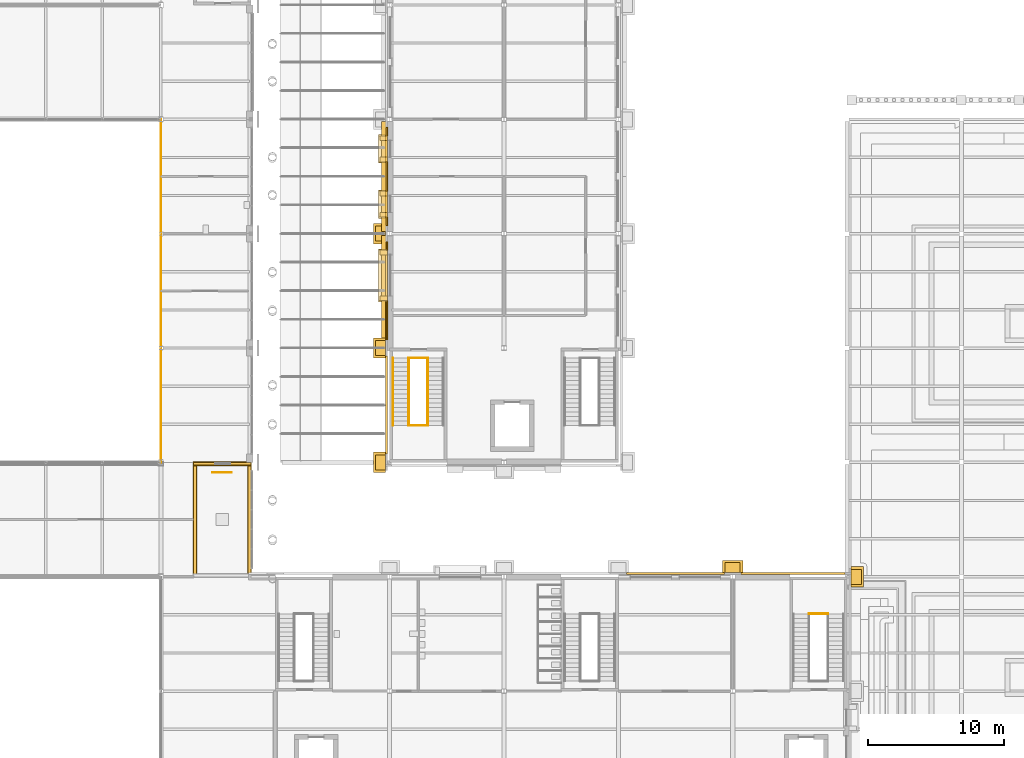
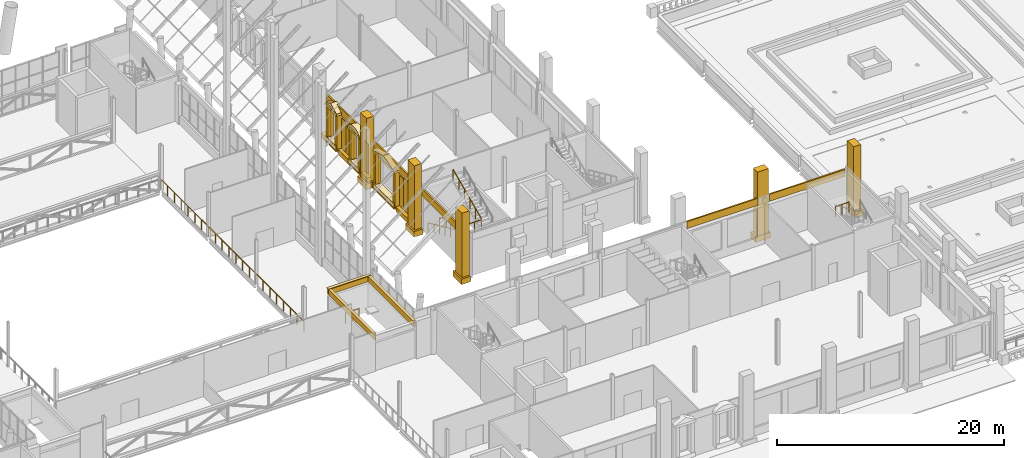
# One storey, part 65 of 76: 52 coverings, 8 railings.
"""IFC4 building model written with IfcOpenShell, lengths in metres."""

from ifc_helpers import new_model, si_unit, direction, frame, origin, origin_2d, place, context, subcontext, project, spatial, polyline, rectangle, circle, outline, extrude, material, layer, layer_set, type_object, element, save


model = new_model("IFC4")

# Units and contexts
model_context = context("Model", 3, precision=1e-05, world=origin(), true_north=direction((0.0, 1.0)))
body_context = subcontext(model_context, "Body", "Model", "MODEL_VIEW")
ifc_project = project(units=[si_unit("LENGTHUNIT", "METRE"), si_unit("AREAUNIT", "SQUARE_METRE"), si_unit("VOLUMEUNIT", "CUBIC_METRE"), si_unit("PLANEANGLEUNIT", "RADIAN"), si_unit("MASSUNIT", "GRAM", prefix="KILO")], contexts=[model_context])

# Site, building, storey
site_placement = place(None, origin())
site = spatial("IfcSite", under=ifc_project, at=site_placement, CompositionType="ELEMENT")
building_placement = place(site_placement, origin())
building = spatial("IfcBuilding", under=site, at=building_placement, Name="Sava Quay Ferry Terminal", CompositionType="ELEMENT")
storey_placement = place(building_placement, frame((0.0, 0.0, 6.0)))
storey = spatial("IfcBuildingStorey", under=building, at=storey_placement, Name="L01", CompositionType="ELEMENT", Elevation=6.0)

# Coverings
ifc_material_1 = material(Name="Limestone Mutalj", Category="masonry")
ifc_layer_1 = layer(ifc_material_1, 0.89990234375)
ifc_layer_set_1 = layer_set([ifc_layer_1], Name="Limestone Mutalj")
covering_type_1 = type_object("IfcCoveringType", Name="Giant-order pilaster base 1500", PredefinedType="MOLDING", material=ifc_layer_set_1)
for number, where, z_axis, x_axis, name in (
    (1, (91.64990234375, 58.800048828125, 0.0), (0.0, 0.0, 1.0), (1.0, 0.0, 0.0), "Giant-order pilaster base"),
    (2, (91.64990234375, 67.199951171875, 0.0), (0.0, 0.0, 1.0), (1.0, 0.0, 0.0), "Giant-order pilaster base"),
    (3, (91.64990234375, 75.60009765625, 0.0), (0.0, 0.0, 1.0), (1.0, 0.0, 0.0), "Giant-order pilaster base"),
    (4, (126.75, 50.39990234375, 0.0), (0.0, 0.0, 1.0), (1.0, 0.0, 0.0), "Giant-order pilaster base"),
):
    element("IfcCovering", number, at=place(storey_placement, frame(where, z_axis=z_axis, x_axis=x_axis)), inside=storey, type_object=covering_type_1, Name=name, PredefinedType="MOLDING", context=body_context, shape_type="SweptSolid", body=[
        extrude(rectangle(XDim=0.89990234375, YDim=1.5, at=origin_2d()), origin(), (0.0, 0.0, 1.0), 0.60009765625),
    ])
covering_1_placement = place(storey_placement, frame((117.60009765625, 51.159912109375, 0.0), z_axis=(0.0, 0.0, 1.0), x_axis=(1.0, 0.0, 0.0)))
element("IfcCovering", 5, at=covering_1_placement, inside=storey, type_object=covering_type_1, Name="Giant-order pilaster base", PredefinedType="MOLDING", context=body_context, shape_type="SweptSolid", body=[
    extrude(rectangle(XDim=1.5, YDim=0.89990234375, at=origin_2d()), origin(), (0.0, 0.0, 1.0), 0.60009765625),
])
ifc_material_2 = material(Name="Limestone Mutalj", Category="masonry")
ifc_layer_2 = layer(ifc_material_2, 0.75)
ifc_layer_set_2 = layer_set([ifc_layer_2], Name="Limestone Mutalj")
covering_type_2 = type_object("IfcCoveringType", Name="Giant-order pilaster shaft 1100", PredefinedType="CLADDING", material=ifc_layer_set_2)
for number, where, z_axis, x_axis, name in (
    (6, (91.72509765625, 58.800048828125, 0.60009765625), (0.0, 0.0, 1.0), (1.0, 0.0, 0.0), "Giant-order pilaster"),
    (7, (91.72509765625, 67.199951171875, 0.60009765625), (0.0, 0.0, 1.0), (1.0, 0.0, 0.0), "Giant-order pilaster"),
    (8, (91.72509765625, 75.60009765625, 0.60009765625), (0.0, 0.0, 1.0), (1.0, 0.0, 0.0), "Giant-order pilaster"),
    (9, (126.675048828125, 50.39990234375, 0.60009765625), (0.0, 0.0, 1.0), (1.0, 0.0, 0.0), "Giant-order pilaster"),
):
    element("IfcCovering", number, at=place(storey_placement, frame(where, z_axis=z_axis, x_axis=x_axis)), inside=storey, type_object=covering_type_2, Name=name, PredefinedType="CLADDING", context=body_context, shape_type="SweptSolid", body=[
        extrude(rectangle(XDim=0.75, YDim=1.10009765625, at=origin_2d()), origin(), (0.0, 0.0, 1.0), 6.89990234375),
    ])
covering_2_placement = place(storey_placement, frame((117.60009765625, 51.0849609375, 0.60009765625), z_axis=(0.0, 0.0, 1.0), x_axis=(1.0, 0.0, 0.0)))
element("IfcCovering", 10, at=covering_2_placement, inside=storey, type_object=covering_type_2, Name="Giant-order pilaster", PredefinedType="CLADDING", context=body_context, shape_type="SweptSolid", body=[
    extrude(rectangle(XDim=1.10009765625, YDim=0.75, at=origin_2d()), origin(), (0.0, 0.0, 1.0), 6.89990234375),
])

# Railings
ifc_material_3 = material(Name="Steel S355", Category="steel")
railing_type_1 = type_object("IfcRailingType", Name="Guard 1100", PredefinedType="GUARDRAIL", material=ifc_material_3)
for number, where, name in (
    (11, (79.39990234375, 58.070068359375, 0.0), "Guard at stair well ST-D2 L01"),
    (12, (123.199951171875, 47.679931640625, 2.39990234375), "Guard at half landing ST-P2 L01"),
):
    element("IfcRailing", number, at=place(storey_placement, frame(where)), inside=storey, type_object=railing_type_1, Name=name, PredefinedType="GUARDRAIL", context=body_context, shape_type="SweptSolid", body=[
        extrude(circle(Radius=0.02392578125, at=origin_2d()), frame((0.0, 0.0, 1.076171875), z_axis=(1.0, 0.0, 0.0), x_axis=(0.0, 1.0, 0.0)), (0.0, 0.0, 1.0), 1.400146484375),
        extrude(circle(Radius=0.02099609375, at=origin_2d()), origin(), (0.0, 0.0, 1.0), 1.052001953125),
        extrude(circle(Radius=0.02099609375, at=origin_2d()), frame((0.7001953125, 0.0, 0.0)), (0.0, 0.0, 1.0), 1.052001953125),
        extrude(circle(Radius=0.02099609375, at=origin_2d()), frame((1.400146484375, 0.0, 0.0)), (0.0, 0.0, 1.0), 1.052001953125),
    ])
railing_1_placement = place(storey_placement, frame((93.800048828125, 66.469970703125, 0.0)))
element("IfcRailing", 13, at=railing_1_placement, inside=storey, type_object=railing_type_1, Name="Guard at stair well ST-O1 L01", PredefinedType="GUARDRAIL", context=body_context, shape_type="SweptSolid", body=[
    extrude(circle(Radius=0.02392578125, at=origin_2d()), frame((0.0, 0.0, 1.076171875), z_axis=(1.0, 0.0, 0.0), x_axis=(0.0, 1.0, 0.0)), (0.0, 0.0, 1.0), 1.39990234375),
    extrude(circle(Radius=0.02099609375, at=origin_2d()), origin(), (0.0, 0.0, 1.0), 1.052001953125),
    extrude(circle(Radius=0.02099609375, at=origin_2d()), frame((0.699951171875, 0.0, 0.0)), (0.0, 0.0, 1.0), 1.052001953125),
    extrude(circle(Radius=0.02099609375, at=origin_2d()), frame((1.39990234375, 0.0, 0.0)), (0.0, 0.0, 1.0), 1.052001953125),
])
railing_2_placement = place(storey_placement, frame((93.800048828125, 66.469970703125, 0.14990234375)))
element("IfcRailing", 14, at=railing_2_placement, inside=storey, type_object=railing_type_1, Name="Guard at stair well ST-O1 L01", PredefinedType="GUARDRAIL", context=body_context, shape_type="SweptSolid", body=[
    extrude(circle(Radius=0.02392578125, at=origin_2d()), frame((0.0, 0.0, 1.076171875), z_axis=(0.0, -0.910364939756, 0.41380632724), x_axis=(1.0, 0.0, 0.0)), (0.0, 0.0, 1.0), 5.437255859375),
    extrude(circle(Radius=0.02099609375, at=origin_2d()), origin(), (0.0, 0.0, 1.0), 1.052001953125),
    extrude(circle(Radius=0.02099609375, at=origin_2d()), frame((0.0, -0.989990234375, 0.449951171875)), (0.0, 0.0, 1.0), 1.052001953125),
    extrude(circle(Radius=0.02099609375, at=origin_2d()), frame((0.0, -1.97998046875, 0.89990234375)), (0.0, 0.0, 1.0), 1.052001953125),
    extrude(circle(Radius=0.02099609375, at=origin_2d()), frame((0.0, -2.969970703125, 1.35009765625)), (0.0, 0.0, 1.0), 1.052001953125),
    extrude(circle(Radius=0.02099609375, at=origin_2d()), frame((0.0, -3.9599609375, 1.800048828125)), (0.0, 0.0, 1.0), 1.052001953125),
    extrude(circle(Radius=0.02099609375, at=origin_2d()), frame((0.0, -4.949951171875, 2.25)), (0.0, 0.0, 1.0), 1.052001953125),
])
railing_3_placement = place(storey_placement, frame((95.199951171875, 61.52001953125, 2.550048828125)))
element("IfcRailing", 15, at=railing_3_placement, inside=storey, type_object=railing_type_1, Name="Guard at stair well ST-O1 L01", PredefinedType="GUARDRAIL", context=body_context, shape_type="SweptSolid", body=[
    extrude(circle(Radius=0.02392578125, at=origin_2d()), frame((0.0, 0.0, 1.076171875), z_axis=(0.0, 0.910364939756, 0.41380632724), x_axis=(-1.0, 0.0, 0.0)), (0.0, 0.0, 1.0), 5.437255859375),
    extrude(circle(Radius=0.02099609375, at=origin_2d()), origin(), (0.0, 0.0, 1.0), 1.052001953125),
    extrude(circle(Radius=0.02099609375, at=origin_2d()), frame((0.0, 0.989990234375, 0.449951171875)), (0.0, 0.0, 1.0), 1.052001953125),
    extrude(circle(Radius=0.02099609375, at=origin_2d()), frame((0.0, 1.97998046875, 0.89990234375)), (0.0, 0.0, 1.0), 1.052001953125),
    extrude(circle(Radius=0.02099609375, at=origin_2d()), frame((0.0, 2.969970703125, 1.35009765625)), (0.0, 0.0, 1.0), 1.052001953125),
    extrude(circle(Radius=0.02099609375, at=origin_2d()), frame((0.0, 3.9599609375, 1.800048828125)), (0.0, 0.0, 1.0), 1.052001953125),
    extrude(circle(Radius=0.02099609375, at=origin_2d()), frame((0.0, 4.949951171875, 2.25)), (0.0, 0.0, 1.0), 1.052001953125),
])
railing_4_placement = place(storey_placement, frame((93.800048828125, 61.52001953125, 2.39990234375)))
element("IfcRailing", 16, at=railing_4_placement, inside=storey, type_object=railing_type_1, Name="Guard at half landing ST-O1 L01", PredefinedType="GUARDRAIL", context=body_context, shape_type="SweptSolid", body=[
    extrude(circle(Radius=0.02392578125, at=origin_2d()), frame((0.0, 0.0, 1.076171875), z_axis=(1.0, 0.0, 0.0), x_axis=(0.0, 1.0, 0.0)), (0.0, 0.0, 1.0), 1.39990234375),
    extrude(circle(Radius=0.02099609375, at=origin_2d()), origin(), (0.0, 0.0, 1.0), 1.052001953125),
    extrude(circle(Radius=0.02099609375, at=origin_2d()), frame((0.699951171875, 0.0, 0.0)), (0.0, 0.0, 1.0), 1.052001953125),
    extrude(circle(Radius=0.02099609375, at=origin_2d()), frame((1.39990234375, 0.0, 0.0)), (0.0, 0.0, 1.0), 1.052001953125),
])
railing_5_placement = place(storey_placement, frame((75.60009765625, 58.800048828125, 0.0)))
element("IfcRailing", 17, at=railing_5_placement, inside=storey, type_object=railing_type_1, Name="Mezzanine guard", PredefinedType="GUARDRAIL", context=body_context, shape_type="SweptSolid", body=[
    extrude(circle(Radius=0.02392578125, at=origin_2d()), frame((0.0, 0.0, 1.076171875), z_axis=(0.0, 1.0, 0.0), x_axis=(-1.0, 0.0, 0.0)), (0.0, 0.0, 1.0), 25.199951171875),
    extrude(circle(Radius=0.02099609375, at=origin_2d()), origin(), (0.0, 0.0, 1.0), 1.052001953125),
    extrude(circle(Radius=0.02099609375, at=origin_2d()), frame((0.0, 1.199951171875, 0.0)), (0.0, 0.0, 1.0), 1.052001953125),
    extrude(circle(Radius=0.02099609375, at=origin_2d()), frame((0.0, 2.39990234375, 0.0)), (0.0, 0.0, 1.0), 1.052001953125),
    extrude(circle(Radius=0.02099609375, at=origin_2d()), frame((0.0, 3.60009765625, 0.0)), (0.0, 0.0, 1.0), 1.052001953125),
    extrude(circle(Radius=0.02099609375, at=origin_2d()), frame((0.0, 4.800048828125, 0.0)), (0.0, 0.0, 1.0), 1.052001953125),
    extrude(circle(Radius=0.02099609375, at=origin_2d()), frame((0.0, 6.0, 0.0)), (0.0, 0.0, 1.0), 1.052001953125),
    extrude(circle(Radius=0.02099609375, at=origin_2d()), frame((0.0, 7.199951171875, 0.0)), (0.0, 0.0, 1.0), 1.052001953125),
    extrude(circle(Radius=0.02099609375, at=origin_2d()), frame((0.0, 8.39990234375, 0.0)), (0.0, 0.0, 1.0), 1.052001953125),
    extrude(circle(Radius=0.02099609375, at=origin_2d()), frame((0.0, 9.60009765625, 0.0)), (0.0, 0.0, 1.0), 1.052001953125),
    extrude(circle(Radius=0.02099609375, at=origin_2d()), frame((0.0, 10.800048828125, 0.0)), (0.0, 0.0, 1.0), 1.052001953125),
    extrude(circle(Radius=0.02099609375, at=origin_2d()), frame((0.0, 12.0, 0.0)), (0.0, 0.0, 1.0), 1.052001953125),
    extrude(circle(Radius=0.02099609375, at=origin_2d()), frame((0.0, 13.199951171875, 0.0)), (0.0, 0.0, 1.0), 1.052001953125),
    extrude(circle(Radius=0.02099609375, at=origin_2d()), frame((0.0, 14.39990234375, 0.0)), (0.0, 0.0, 1.0), 1.052001953125),
    extrude(circle(Radius=0.02099609375, at=origin_2d()), frame((0.0, 15.599853515625, 0.0)), (0.0, 0.0, 1.0), 1.052001953125),
    extrude(circle(Radius=0.02099609375, at=origin_2d()), frame((0.0, 16.800048828125, 0.0)), (0.0, 0.0, 1.0), 1.052001953125),
    extrude(circle(Radius=0.02099609375, at=origin_2d()), frame((0.0, 18.0, 0.0)), (0.0, 0.0, 1.0), 1.052001953125),
    extrude(circle(Radius=0.02099609375, at=origin_2d()), frame((0.0, 19.199951171875, 0.0)), (0.0, 0.0, 1.0), 1.052001953125),
    extrude(circle(Radius=0.02099609375, at=origin_2d()), frame((0.0, 20.39990234375, 0.0)), (0.0, 0.0, 1.0), 1.052001953125),
    extrude(circle(Radius=0.02099609375, at=origin_2d()), frame((0.0, 21.599853515625, 0.0)), (0.0, 0.0, 1.0), 1.052001953125),
    extrude(circle(Radius=0.02099609375, at=origin_2d()), frame((0.0, 22.800048828125, 0.0)), (0.0, 0.0, 1.0), 1.052001953125),
    extrude(circle(Radius=0.02099609375, at=origin_2d()), frame((0.0, 24.0, 0.0)), (0.0, 0.0, 1.0), 1.052001953125),
    extrude(circle(Radius=0.02099609375, at=origin_2d()), frame((0.0, 25.199951171875, 0.0)), (0.0, 0.0, 1.0), 1.052001953125),
])

# Coverings
ifc_material_4 = material(Name="Limestone Mutalj", Category="masonry")
ifc_layer_3 = layer(ifc_material_4, 0.080078125)
ifc_layer_set_3 = layer_set([ifc_layer_3], Name="Limestone Mutalj")
covering_type_3 = type_object("IfcCoveringType", Name="Light stone cladding 80", PredefinedType="CLADDING", material=ifc_layer_set_3)
covering_3_placement = place(storey_placement, frame((92.2099609375, 68.868896484375, 0.5), z_axis=(0.0, 0.0, 1.0), x_axis=(1.0, 0.0, 0.0)))
element("IfcCovering", 18, at=covering_3_placement, inside=storey, type_object=covering_type_3, Name="Light stone cladding", PredefinedType="CLADDING", context=body_context, shape_type="SweptSolid", body=[
    extrude(rectangle(XDim=0.080078125, YDim=2.137451171875, at=origin_2d()), origin(), (0.0, 0.0, 1.0), 3.550048828125),
])
covering_4_placement = place(storey_placement, frame((92.2099609375, 70.3125, 0.5), z_axis=(0.0, 0.0, 1.0), x_axis=(1.0, 0.0, 0.0)))
element("IfcCovering", 19, at=covering_4_placement, inside=storey, type_object=covering_type_3, Name="Light stone cladding", PredefinedType="CLADDING", context=body_context, shape_type="SweptSolid", body=[
    extrude(rectangle(XDim=0.080078125, YDim=0.75, at=origin_2d()), origin(), (0.0, 0.0, 1.0), 3.25),
])
covering_5_placement = place(storey_placement, frame((92.2099609375, 74.693603515625, 0.5), z_axis=(0.0, 0.0, 1.0), x_axis=(1.0, 0.0, 0.0)))
element("IfcCovering", 20, at=covering_5_placement, inside=storey, type_object=covering_type_3, Name="Light stone cladding", PredefinedType="CLADDING", context=body_context, shape_type="SweptSolid", body=[
    extrude(rectangle(XDim=0.080078125, YDim=0.612548828125, at=origin_2d()), origin(), (0.0, 0.0, 1.0), 3.25),
])
covering_6_placement = place(storey_placement, frame((92.2099609375, 76.50927734375, 0.5), z_axis=(0.0, 0.0, 1.0), x_axis=(1.0, 0.0, 0.0)))
element("IfcCovering", 21, at=covering_6_placement, inside=storey, type_object=covering_type_3, Name="Light stone cladding", PredefinedType="CLADDING", context=body_context, shape_type="SweptSolid", body=[
    extrude(rectangle(XDim=0.080078125, YDim=0.61865234375, at=origin_2d()), origin(), (0.0, 0.0, 1.0), 3.25),
])
covering_7_placement = place(storey_placement, frame((92.2099609375, 79.09375, 0.5), z_axis=(0.0, 0.0, 1.0), x_axis=(1.0, 0.0, 0.0)))
element("IfcCovering", 22, at=covering_7_placement, inside=storey, type_object=covering_type_3, Name="Light stone cladding", PredefinedType="CLADDING", context=body_context, shape_type="SweptSolid", body=[
    extrude(rectangle(XDim=0.080078125, YDim=0.75, at=origin_2d()), origin(), (0.0, 0.0, 1.0), 3.25),
])
covering_8_placement = place(storey_placement, frame((92.2099609375, 79.800048828125, 0.5), z_axis=(0.0, 0.0, 1.0), x_axis=(1.0, 0.0, 0.0)))
element("IfcCovering", 23, at=covering_8_placement, inside=storey, type_object=covering_type_3, Name="Light stone cladding", PredefinedType="CLADDING", context=body_context, shape_type="SweptSolid", body=[
    extrude(rectangle(XDim=0.080078125, YDim=0.66259765625, at=origin_2d()), origin(), (0.0, 0.0, 1.0), 3.550048828125),
])
covering_9_placement = place(storey_placement, frame((92.2099609375, 80.50634765625, 0.5), z_axis=(0.0, 0.0, 1.0), x_axis=(1.0, 0.0, 0.0)))
element("IfcCovering", 24, at=covering_9_placement, inside=storey, type_object=covering_type_3, Name="Light stone cladding", PredefinedType="CLADDING", context=body_context, shape_type="SweptSolid", body=[
    extrude(rectangle(XDim=0.080078125, YDim=0.75, at=origin_2d()), origin(), (0.0, 0.0, 1.0), 3.25),
])
covering_10_placement = place(storey_placement, frame((92.2099609375, 83.0908203125, 0.5), z_axis=(0.0, 0.0, 1.0), x_axis=(1.0, 0.0, 0.0)))
element("IfcCovering", 25, at=covering_10_placement, inside=storey, type_object=covering_type_3, Name="Light stone cladding", PredefinedType="CLADDING", context=body_context, shape_type="SweptSolid", body=[
    extrude(rectangle(XDim=0.080078125, YDim=0.61865234375, at=origin_2d()), origin(), (0.0, 0.0, 1.0), 3.25),
])
ifc_material_5 = material(Name="Limestone Mutalj", Category="masonry")
ifc_layer_4 = layer(ifc_material_5, 0.14990234375)
ifc_layer_set_4 = layer_set([ifc_layer_4], Name="Limestone Mutalj")
covering_type_4 = type_object("IfcCoveringType", Name="Limestone string course 150", PredefinedType="CLADDING", material=ifc_layer_set_4)
covering_11_placement = place(storey_placement, frame((0.0, 0.0, 4.050048828125)))
element("IfcCovering", 26, at=covering_11_placement, inside=storey, type_object=covering_type_4, Name="String course P-N", PredefinedType="CLADDING", context=body_context, shape_type="SweptSolid", body=[
    extrude(outline(polyline([(109.800048828125, 50.56005859375), (117.0, 50.56005859375), (117.0, 50.7099609375), (109.800048828125, 50.7099609375), (109.800048828125, 50.56005859375)])), origin(), (0.0, 0.0, 1.0), 0.75),
])
covering_12_placement = place(storey_placement, frame((0.0, 0.0, 4.050048828125)))
element("IfcCovering", 27, at=covering_12_placement, inside=storey, type_object=covering_type_4, Name="String course P-N", PredefinedType="CLADDING", context=body_context, shape_type="SweptSolid", body=[
    extrude(outline(polyline([(118.199951171875, 50.56005859375), (125.85009765625, 50.56005859375), (125.85009765625, 50.7099609375), (118.199951171875, 50.7099609375), (118.199951171875, 50.56005859375)])), origin(), (0.0, 0.0, 1.0), 0.75),
])
covering_13_placement = place(storey_placement, frame((0.0, 0.0, 4.050048828125)))
element("IfcCovering", 28, at=covering_13_placement, inside=storey, type_object=covering_type_4, Name="String course O-W", PredefinedType="CLADDING", context=body_context, shape_type="SweptSolid", body=[
    extrude(outline(polyline([(92.25, 59.39990234375), (92.25, 66.60009765625), (92.10009765625, 66.60009765625), (92.10009765625, 59.39990234375), (92.25, 59.39990234375)])), origin(), (0.0, 0.0, 1.0), 0.75),
])
covering_14_placement = place(storey_placement, frame((0.0, 0.0, 4.050048828125)))
element("IfcCovering", 29, at=covering_14_placement, inside=storey, type_object=covering_type_4, Name="String course O-W", PredefinedType="CLADDING", context=body_context, shape_type="SweptSolid", body=[
    extrude(outline(polyline([(92.25, 67.800048828125), (92.25, 75.0), (92.10009765625, 75.0), (92.10009765625, 67.800048828125), (92.25, 67.800048828125)])), origin(), (0.0, 0.0, 1.0), 0.75),
])
covering_15_placement = place(storey_placement, frame((0.0, 0.0, 4.050048828125)))
element("IfcCovering", 30, at=covering_15_placement, inside=storey, type_object=covering_type_4, Name="String course O-W", PredefinedType="CLADDING", context=body_context, shape_type="SweptSolid", body=[
    extrude(outline(polyline([(92.25, 76.199951171875), (92.25, 83.39990234375), (92.10009765625, 83.39990234375), (92.10009765625, 76.199951171875), (92.25, 76.199951171875)])), origin(), (0.0, 0.0, 1.0), 0.75),
])
ifc_material_6 = material(Name="Limestone Mutalj", Category="masonry")
ifc_layer_5 = layer(ifc_material_6, 0.050048828125)
ifc_layer_set_5 = layer_set([ifc_layer_5], Name="Limestone Mutalj")
covering_type_5 = type_object("IfcCoveringType", Name="Overrun coping 300", PredefinedType="MOLDING", material=ifc_layer_set_5)
covering_16_placement = place(storey_placement, frame((80.10009765625, 58.699951171875, 3.7998046875), z_axis=(0.0, 0.0, 1.0), x_axis=(1.0, 0.0, 0.0)))
element("IfcCovering", 31, at=covering_16_placement, inside=storey, type_object=covering_type_5, Name="Overrun coping ST-D2 N", PredefinedType="MOLDING", context=body_context, shape_type="SweptSolid", body=[
    extrude(rectangle(XDim=4.300048828125, YDim=0.300048828125, at=origin_2d()), origin(), (0.0, 0.0, 1.0), 0.050048828125),
])
for number, where, z_axis, x_axis, name in (
    (32, (78.10009765625, 54.60009765625, 3.7998046875), (0.0, 0.0, 1.0), (1.0, 0.0, 0.0), "Overrun coping ST-D2 W"),
    (33, (82.10009765625, 54.60009765625, 3.7998046875), (0.0, 0.0, 1.0), (1.0, 0.0, 0.0), "Overrun coping ST-D2 E"),
):
    element("IfcCovering", number, at=place(storey_placement, frame(where, z_axis=z_axis, x_axis=x_axis)), inside=storey, type_object=covering_type_5, Name=name, PredefinedType="MOLDING", context=body_context, shape_type="SweptSolid", body=[
        extrude(rectangle(XDim=0.300048828125, YDim=7.89990234375, at=origin_2d()), origin(), (0.0, 0.0, 1.0), 0.050048828125),
    ])
ifc_material_7 = material(Name="Limestone Mutalj", Category="masonry")
ifc_layer_6 = layer(ifc_material_7, 0.199951171875)
ifc_layer_set_6 = layer_set([ifc_layer_6], Name="Limestone Mutalj")
covering_type_6 = type_object("IfcCoveringType", Name="Overrun parapet 200", PredefinedType="MOLDING", material=ifc_layer_set_6)
covering_17_placement = place(storey_placement, frame((80.10009765625, 58.699951171875, 3.199951171875), z_axis=(0.0, 0.0, 1.0), x_axis=(1.0, 0.0, 0.0)))
element("IfcCovering", 34, at=covering_17_placement, inside=storey, type_object=covering_type_6, Name="Overrun parapet ST-D2 N", PredefinedType="MOLDING", context=body_context, shape_type="SweptSolid", body=[
    extrude(rectangle(XDim=4.199951171875, YDim=0.199951171875, at=origin_2d()), origin(), (0.0, 0.0, 1.0), 0.60009765625),
])
for number, where, z_axis, x_axis, name in (
    (35, (78.10009765625, 54.60009765625, 3.199951171875), (0.0, 0.0, 1.0), (1.0, 0.0, 0.0), "Overrun parapet ST-D2 W"),
    (36, (82.10009765625, 54.60009765625, 3.199951171875), (0.0, 0.0, 1.0), (1.0, 0.0, 0.0), "Overrun parapet ST-D2 E"),
):
    element("IfcCovering", number, at=place(storey_placement, frame(where, z_axis=z_axis, x_axis=x_axis)), inside=storey, type_object=covering_type_6, Name=name, PredefinedType="MOLDING", context=body_context, shape_type="SweptSolid", body=[
        extrude(rectangle(XDim=0.199951171875, YDim=8.0, at=origin_2d()), origin(), (0.0, 0.0, 1.0), 0.60009765625),
    ])
ifc_material_8 = material(Name="Limestone Mutalj", Category="masonry")
ifc_layer_7 = layer(ifc_material_8, 0.449951171875)
ifc_layer_set_7 = layer_set([ifc_layer_7], Name="Limestone Mutalj")
covering_type_7 = type_object("IfcCoveringType", Name="Projecting string course 500", PredefinedType="MOLDING", material=ifc_layer_set_7)
covering_18_placement = place(storey_placement, frame((92.02490234375, 68.84375, 0.0), z_axis=(0.0, 0.0, 1.0), x_axis=(1.0, 0.0, 0.0)))
element("IfcCovering", 37, at=covering_18_placement, inside=storey, type_object=covering_type_7, Name="Projecting string course", PredefinedType="MOLDING", context=body_context, shape_type="SweptSolid", body=[
    extrude(rectangle(XDim=0.449951171875, YDim=3.6875, at=origin_2d()), origin(), (0.0, 0.0, 1.0), 0.5),
])
covering_19_placement = place(storey_placement, frame((92.02490234375, 72.53759765625, 0.0), z_axis=(0.0, 0.0, 1.0), x_axis=(1.0, 0.0, 0.0)))
element("IfcCovering", 38, at=covering_19_placement, inside=storey, type_object=covering_type_7, Name="Projecting string course", PredefinedType="MOLDING", context=body_context, shape_type="SweptSolid", body=[
    extrude(rectangle(XDim=0.449951171875, YDim=3.0, at=origin_2d()), origin(), (0.0, 0.0, 1.0), 0.449951171875),
])
covering_20_placement = place(storey_placement, frame((92.02490234375, 74.918701171875, 0.0), z_axis=(0.0, 0.0, 1.0), x_axis=(1.0, 0.0, 0.0)))
element("IfcCovering", 39, at=covering_20_placement, inside=storey, type_object=covering_type_7, Name="Projecting string course", PredefinedType="MOLDING", context=body_context, shape_type="SweptSolid", body=[
    extrude(rectangle(XDim=0.449951171875, YDim=1.0625, at=origin_2d()), origin(), (0.0, 0.0, 1.0), 0.5),
])
covering_21_placement = place(storey_placement, frame((92.02490234375, 76.2841796875, 0.0), z_axis=(0.0, 0.0, 1.0), x_axis=(1.0, 0.0, 0.0)))
element("IfcCovering", 40, at=covering_21_placement, inside=storey, type_object=covering_type_7, Name="Projecting string course", PredefinedType="MOLDING", context=body_context, shape_type="SweptSolid", body=[
    extrude(rectangle(XDim=0.449951171875, YDim=1.068603515625, at=origin_2d()), origin(), (0.0, 0.0, 1.0), 0.5),
])
covering_22_placement = place(storey_placement, frame((92.02490234375, 77.768798828125, 0.0), z_axis=(0.0, 0.0, 1.0), x_axis=(1.0, 0.0, 0.0)))
element("IfcCovering", 41, at=covering_22_placement, inside=storey, type_object=covering_type_7, Name="Projecting string course", PredefinedType="MOLDING", context=body_context, shape_type="SweptSolid", body=[
    extrude(rectangle(XDim=0.449951171875, YDim=1.199951171875, at=origin_2d()), origin(), (0.0, 0.0, 1.0), 0.449951171875),
])
covering_23_placement = place(storey_placement, frame((92.02490234375, 79.800048828125, 0.0), z_axis=(0.0, 0.0, 1.0), x_axis=(1.0, 0.0, 0.0)))
element("IfcCovering", 42, at=covering_23_placement, inside=storey, type_object=covering_type_7, Name="Projecting string course", PredefinedType="MOLDING", context=body_context, shape_type="SweptSolid", body=[
    extrude(rectangle(XDim=0.449951171875, YDim=2.16259765625, at=origin_2d()), origin(), (0.0, 0.0, 1.0), 0.5),
])
covering_24_placement = place(storey_placement, frame((92.02490234375, 81.831298828125, 0.0), z_axis=(0.0, 0.0, 1.0), x_axis=(1.0, 0.0, 0.0)))
element("IfcCovering", 43, at=covering_24_placement, inside=storey, type_object=covering_type_7, Name="Projecting string course", PredefinedType="MOLDING", context=body_context, shape_type="SweptSolid", body=[
    extrude(rectangle(XDim=0.449951171875, YDim=1.199951171875, at=origin_2d()), origin(), (0.0, 0.0, 1.0), 0.449951171875),
])
covering_25_placement = place(storey_placement, frame((92.02490234375, 83.315673828125, 0.0), z_axis=(0.0, 0.0, 1.0), x_axis=(1.0, 0.0, 0.0)))
element("IfcCovering", 44, at=covering_25_placement, inside=storey, type_object=covering_type_7, Name="Projecting string course", PredefinedType="MOLDING", context=body_context, shape_type="SweptSolid", body=[
    extrude(rectangle(XDim=0.449951171875, YDim=1.068603515625, at=origin_2d()), origin(), (0.0, 0.0, 1.0), 0.5),
])
ifc_material_9 = material(Name="Limestone Mutalj", Category="masonry")
ifc_layer_8 = layer(ifc_material_9, 0.64990234375)
ifc_layer_set_8 = layer_set([ifc_layer_8], Name="Limestone Mutalj")
covering_type_8 = type_object("IfcCoveringType", Name="Segmental window head 500", PredefinedType="MOLDING", material=ifc_layer_set_8)
covering_26_placement = place(storey_placement, frame((91.60009765625, 76.71875, 4.39990234375), z_axis=(-1.0, 0.0, 0.0), x_axis=(0.0, 0.71122974715, 0.702959633811)))
element("IfcCovering", 45, at=covering_26_placement, inside=storey, type_object=covering_type_8, Name="Segmental window head", PredefinedType="MOLDING", context=body_context, shape_type="SweptSolid", body=[
    extrude(outline(polyline([(0.0, 0.0), (0.29520831818581716, 0.0), (0.5408181661149173, 0.05018198167150195), (0.752447055183014, 0.1347446981906073), (0.9373030675727445, 0.24639526640782444), (1.0983057794286726, 0.38252706612769555), (1.2361376366269134, 0.5417550148915962), (1.3499425532163642, 0.7252925741538023), (1.4369745931274485, 0.93591798511412), (1.4900256741775295, 1.1809241309220415), (1.4934782849708934, 1.4761122584014645), (0.0, 0.0)])), origin(), (0.0, 0.0, -1.0), 0.64990234375),
])

# Railing
ifc_material_10 = material(Name="Steel S355", Category="steel")
railing_type_2 = type_object("IfcRailingType", Name="Stair handrail 900", PredefinedType="HANDRAIL", material=ifc_material_10)
railing_6_placement = place(storey_placement, frame((92.659912109375, 66.469970703125, 0.14990234375)))
element("IfcRailing", 46, at=railing_6_placement, inside=storey, type_object=railing_type_2, Name="Handrail ST-O1 L01", PredefinedType="HANDRAIL", context=body_context, shape_type="SweptSolid", body=[
    extrude(circle(Radius=0.02392578125, at=origin_2d()), frame((0.0, 0.0, 0.8759765625), z_axis=(0.0, -0.910364939756, 0.41380632724), x_axis=(1.0, 0.0, 0.0)), (0.0, 0.0, 1.0), 5.437255859375),
    extrude(circle(Radius=0.02099609375, at=origin_2d()), origin(), (0.0, 0.0, 1.0), 0.851806640625),
    extrude(circle(Radius=0.02099609375, at=origin_2d()), frame((0.0, -0.989990234375, 0.449951171875)), (0.0, 0.0, 1.0), 0.851806640625),
    extrude(circle(Radius=0.02099609375, at=origin_2d()), frame((0.0, -1.97998046875, 0.89990234375)), (0.0, 0.0, 1.0), 0.851806640625),
    extrude(circle(Radius=0.02099609375, at=origin_2d()), frame((0.0, -2.969970703125, 1.35009765625)), (0.0, 0.0, 1.0), 0.851806640625),
    extrude(circle(Radius=0.02099609375, at=origin_2d()), frame((0.0, -3.9599609375, 1.800048828125)), (0.0, 0.0, 1.0), 0.851806640625),
    extrude(circle(Radius=0.02099609375, at=origin_2d()), frame((0.0, -4.949951171875, 2.25)), (0.0, 0.0, 1.0), 0.851806640625),
])

# Coverings
ifc_material_11 = material(Name="Limestone Mutalj", Category="masonry")
ifc_layer_9 = layer(ifc_material_11, 0.64990234375)
ifc_layer_set_9 = layer_set([ifc_layer_9], Name="Limestone Mutalj")
covering_type_9 = type_object("IfcCoveringType", Name="Triangular window head 500", PredefinedType="MOLDING", material=ifc_layer_set_9)
covering_27_placement = place(storey_placement, frame((92.25, 70.58740234375, 4.39990234375), z_axis=(1.0, 0.0, 0.0), x_axis=(0.0, 1.0, 0.0)))
element("IfcCovering", 47, at=covering_27_placement, inside=storey, type_object=covering_type_9, Name="Triangular window head", PredefinedType="MOLDING", context=body_context, shape_type="SweptSolid", body=[
    extrude(outline(polyline([(0.0, 0.0), (3.900146484375, 0.0), (1.9501953125, 0.550048828125), (0.0, 0.0)])), origin(), (0.0, 0.0, -1.0), 0.64990234375),
])
covering_28_placement = place(storey_placement, frame((92.25, 80.78125, 4.39990234375), z_axis=(1.0, 0.0, 0.0), x_axis=(0.0, 1.0, 0.0)))
element("IfcCovering", 48, at=covering_28_placement, inside=storey, type_object=covering_type_9, Name="Triangular window head", PredefinedType="MOLDING", context=body_context, shape_type="SweptSolid", body=[
    extrude(outline(polyline([(0.0, 0.0), (2.10009765625, 0.0), (1.050048828125, 0.550048828125), (0.0, 0.0)])), origin(), (0.0, 0.0, -1.0), 0.64990234375),
])
ifc_material_12 = material(Name="Limestone Mutalj", Category="masonry")
ifc_layer_10 = layer(ifc_material_12, 0.550048828125)
ifc_layer_set_10 = layer_set([ifc_layer_10], Name="Limestone Mutalj")
covering_type_10 = type_object("IfcCoveringType", Name="Window surround jamb 350", PredefinedType="MOLDING", material=ifc_layer_set_10)
for number, where, z_axis, x_axis, name in (
    (49, (91.97509765625, 70.862548828125, 0.4501953125), (0.0, 0.0, 1.0), (1.0, 0.0, 0.0), "Window surround jamb"),
    (50, (91.97509765625, 74.21240234375, 0.4501953125), (0.0, 0.0, 1.0), (1.0, 0.0, 0.0), "Window surround jamb"),
    (51, (91.97509765625, 76.99365234375, 0.4501953125), (0.0, 0.0, 1.0), (1.0, 0.0, 0.0), "Window surround jamb"),
    (52, (91.97509765625, 78.543701171875, 0.4501953125), (0.0, 0.0, 1.0), (1.0, 0.0, 0.0), "Window surround jamb"),
    (53, (91.97509765625, 81.056396484375, 0.4501953125), (0.0, 0.0, 1.0), (1.0, 0.0, 0.0), "Window surround jamb"),
    (54, (91.97509765625, 82.606201171875, 0.4501953125), (0.0, 0.0, 1.0), (1.0, 0.0, 0.0), "Window surround jamb"),
):
    element("IfcCovering", number, at=place(storey_placement, frame(where, z_axis=z_axis, x_axis=x_axis)), inside=storey, type_object=covering_type_10, Name=name, PredefinedType="MOLDING", context=body_context, shape_type="SweptSolid", body=[
        extrude(rectangle(XDim=0.550048828125, YDim=0.35009765625, at=origin_2d()), origin(), (0.0, 0.0, 1.0), 3.699951171875),
    ])
ifc_material_13 = material(Name="Limestone Mutalj", Category="masonry")
ifc_layer_11 = layer(ifc_material_13, 0.64990234375)
ifc_layer_set_11 = layer_set([ifc_layer_11], Name="Limestone Mutalj")
covering_type_11 = type_object("IfcCoveringType", Name="Window surround lintel 300", PredefinedType="MOLDING", material=ifc_layer_set_11)
covering_29_placement = place(storey_placement, frame((91.925048828125, 72.53759765625, 4.14990234375), z_axis=(0.0, 0.0, 1.0), x_axis=(1.0, 0.0, 0.0)))
element("IfcCovering", 55, at=covering_29_placement, inside=storey, type_object=covering_type_11, Name="Window surround lintel", PredefinedType="MOLDING", context=body_context, shape_type="SweptSolid", body=[
    extrude(rectangle(XDim=0.64990234375, YDim=3.89990234375, at=origin_2d()), origin(), (0.0, 0.0, 1.0), 0.25),
])
for number, where, z_axis, x_axis, name in (
    (56, (91.925048828125, 77.768798828125, 4.14990234375), (0.0, 0.0, 1.0), (1.0, 0.0, 0.0), "Window surround lintel"),
    (57, (91.925048828125, 81.831298828125, 4.14990234375), (0.0, 0.0, 1.0), (1.0, 0.0, 0.0), "Window surround lintel"),
):
    element("IfcCovering", number, at=place(storey_placement, frame(where, z_axis=z_axis, x_axis=x_axis)), inside=storey, type_object=covering_type_11, Name=name, PredefinedType="MOLDING", context=body_context, shape_type="SweptSolid", body=[
        extrude(rectangle(XDim=0.64990234375, YDim=2.10009765625, at=origin_2d()), origin(), (0.0, 0.0, 1.0), 0.25),
    ])
ifc_material_14 = material(Name="Limestone Mutalj", Category="masonry")
ifc_layer_12 = layer(ifc_material_14, 0.64990234375)
ifc_layer_set_12 = layer_set([ifc_layer_12], Name="Limestone Mutalj")
covering_type_12 = type_object("IfcCoveringType", Name="Window surround sill 450", PredefinedType="MOLDING", material=ifc_layer_set_12)
covering_30_placement = place(storey_placement, frame((91.925048828125, 72.53759765625, 0.4501953125), z_axis=(0.0, 0.0, 1.0), x_axis=(1.0, 0.0, 0.0)))
element("IfcCovering", 58, at=covering_30_placement, inside=storey, type_object=covering_type_12, Name="Window surround sill", PredefinedType="MOLDING", context=body_context, shape_type="SweptSolid", body=[
    extrude(rectangle(XDim=0.64990234375, YDim=3.699951171875, at=origin_2d()), origin(), (0.0, 0.0, 1.0), 0.449951171875),
])
for number, where, z_axis, x_axis, name in (
    (59, (91.925048828125, 77.768798828125, 0.4501953125), (0.0, 0.0, 1.0), (1.0, 0.0, 0.0), "Window surround sill"),
    (60, (91.925048828125, 81.831298828125, 0.4501953125), (0.0, 0.0, 1.0), (1.0, 0.0, 0.0), "Window surround sill"),
):
    element("IfcCovering", number, at=place(storey_placement, frame(where, z_axis=z_axis, x_axis=x_axis)), inside=storey, type_object=covering_type_12, Name=name, PredefinedType="MOLDING", context=body_context, shape_type="SweptSolid", body=[
        extrude(rectangle(XDim=0.64990234375, YDim=1.89990234375, at=origin_2d()), origin(), (0.0, 0.0, 1.0), 0.449951171875),
    ])

save(model, "model.ifc")
